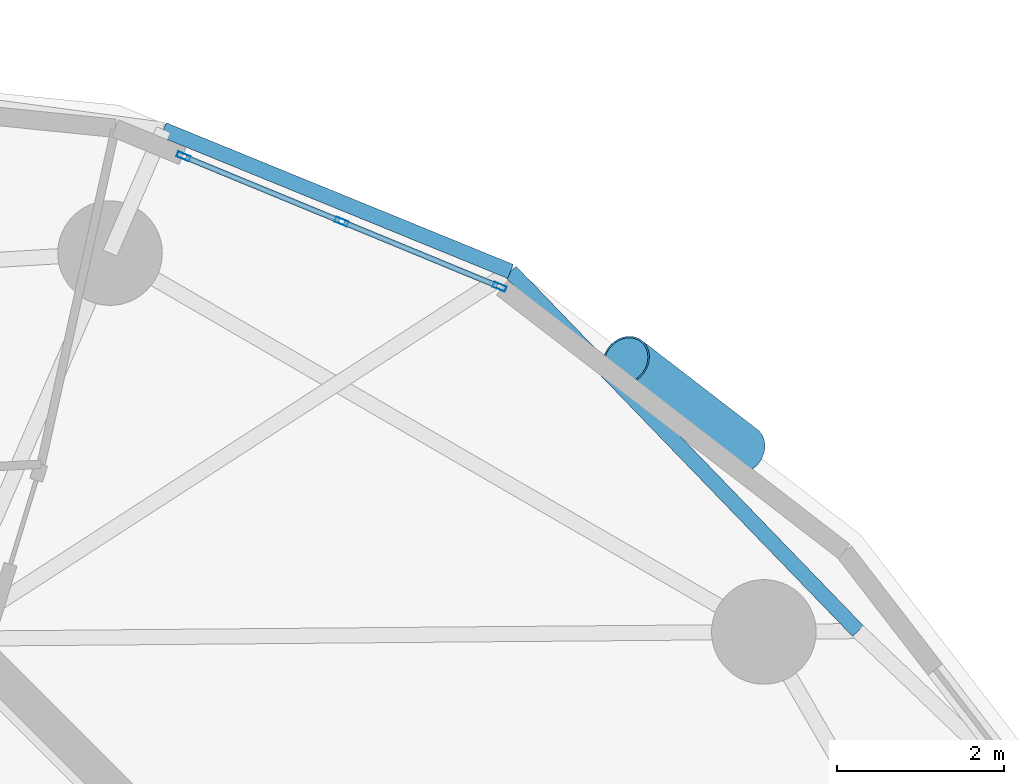
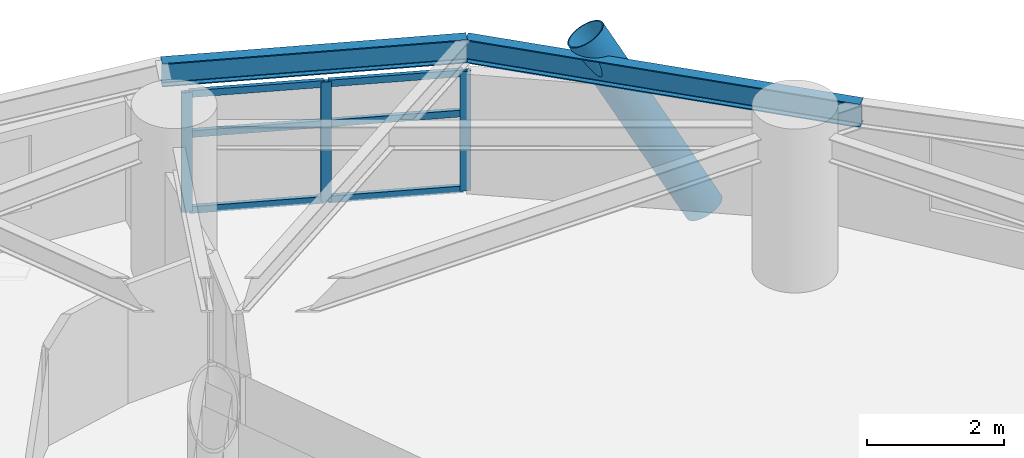
# One storey, part 5 of 15: 10 members, 2 beams, 1 element without a shape of its own.
"""IFC4 building model written with IfcOpenShell, lengths in metres."""

import ifcopenshell
import ifcopenshell.guid

model = None  # the IFC model being written
_history = None  # IfcOwnerHistory: only IFC2X3 demands one
_inside = {}  # id of a spatial element -> (the spatial element, [elements in it])
_under = {}  # id of a project, library or spatial element -> (it, [spatial elements below it])
_declared = {}  # id of a project -> (the project, [libraries it declares])
_typed = {}  # id of a type object -> (the type object, [elements of that type])
_made_of = {}  # id of a material, layer set ... -> (it, [elements and type objects made of it])


def new_model(schema):
    """Start an empty IFC model of exactly this schema.

    Asked for "IFC4X3", IfcOpenShell would pick the latest addendum, in which some entities
    have other attributes; the version numbers below select the first issue.
    IFC2X3 requires an IfcOwnerHistory on every rooted entity: one is made here for all.
    """
    global model, _history
    if schema == "IFC4X3":
        model = ifcopenshell.file(schema_version=(4, 3, 0, 0))
    else:
        model = ifcopenshell.file(schema=schema)
    _inside.clear()
    _under.clear()
    _declared.clear()
    _typed.clear()
    _made_of.clear()
    _history = None
    if model.schema == "IFC2X3":
        org = make("IfcOrganization", Name="unknown")
        user = make(
            "IfcPersonAndOrganization",
            ThePerson=make("IfcPerson", FamilyName="unknown"),
            TheOrganization=org,
        )
        app = make(
            "IfcApplication",
            ApplicationDeveloper=org,
            Version="unknown",
            ApplicationFullName="unknown",
            ApplicationIdentifier="unknown",
        )
        _history = make(
            "IfcOwnerHistory",
            OwningUser=user,
            OwningApplication=app,
            ChangeAction="ADDED",
            CreationDate=0,
        )
    return model


def make(cls, **values):
    """One entity of the class cls with the attributes given. An attribute that is None is left unset."""
    return model.create_entity(
        cls, **{name: value for name, value in values.items() if value is not None}
    )


def rooted(cls, **values):
    """An entity with a GlobalId (a new one), such as an element, a storey or a relation."""
    return make(cls, GlobalId=ifcopenshell.guid.new(), OwnerHistory=_history, **values)


def si_unit(unit_type, name, prefix=None):
    """IfcSIUnit, for example si_unit("LENGTHUNIT", "METRE", prefix="MILLI")."""
    return make("IfcSIUnit", UnitType=unit_type, Prefix=prefix, Name=name)


def assignment(units):
    """IfcUnitAssignment: the units of a project."""
    return None if units is None else make("IfcUnitAssignment", Units=units)


def point(xyz):
    """IfcCartesianPoint."""
    return None if xyz is None else make("IfcCartesianPoint", Coordinates=xyz)


def direction(xyz):
    """IfcDirection."""
    return None if xyz is None else make("IfcDirection", DirectionRatios=xyz)


def frame(location, z_axis=None, x_axis=None):
    """IfcAxis2Placement3D, a coordinate frame: its origin and axes. An axis left out is left unset."""
    return make(
        "IfcAxis2Placement3D",
        Location=point(location),
        Axis=direction(z_axis),
        RefDirection=direction(x_axis),
    )


def frame_2d(location, x_axis=None):
    """IfcAxis2Placement2D, a coordinate frame in the plane: its origin and x axis."""
    return make(
        "IfcAxis2Placement2D", Location=point(location), RefDirection=direction(x_axis)
    )


def origin():
    """The frame at (0, 0, 0) with its axes left unset."""
    return frame((0.0, 0.0, 0.0))


def origin_2d():
    """The frame at (0, 0) in the plane with its x axis left unset."""
    return frame_2d((0.0, 0.0))


def place(relative_to, where):
    """IfcLocalPlacement: puts the frame where relative to a parent placement (None: the world)."""
    return make(
        "IfcLocalPlacement", PlacementRelTo=relative_to, RelativePlacement=where
    )


def context(
    kind, dimensions, precision=None, world=None, true_north=None, identifier=None
):
    """IfcGeometricRepresentationContext, for example the 3D "Model" context."""
    return make(
        "IfcGeometricRepresentationContext",
        ContextIdentifier=identifier,
        ContextType=kind,
        CoordinateSpaceDimension=dimensions,
        Precision=precision,
        WorldCoordinateSystem=world,
        TrueNorth=true_north,
    )


def subcontext(parent, identifier, kind, view, scale=None):
    """IfcGeometricRepresentationSubContext, for example "Body" below "Model"."""
    return make(
        "IfcGeometricRepresentationSubContext",
        ContextIdentifier=identifier,
        ContextType=kind,
        ParentContext=parent,
        TargetScale=scale,
        TargetView=view,
    )


def project(units=None, contexts=None):
    """IfcProject with its units and contexts."""
    return rooted(
        "IfcProject",
        Name="project",
        RepresentationContexts=contexts,
        UnitsInContext=assignment(units),
    )


def spatial(cls, under=None, at=None, **own):
    """A site, building, storey or space (cls), placed at a placement, below another one or the project."""
    s = rooted(cls, ObjectPlacement=at, **own)
    if under is not None:
        _under.setdefault(under.id(), (under, []))[1].append(s)
    return s


def profile(cls, at=None, kind="AREA", **sizes):
    """A parametric profile (cls). Its sizes go by their IFC names, for example OverallWidth=200.0."""
    return make(cls, ProfileType=kind, Position=at, **sizes)


def hollow_rectangle(**sizes):
    """IfcRectangleHollowProfileDef."""
    return profile("IfcRectangleHollowProfileDef", **sizes)


def hollow_circle(**sizes):
    """IfcCircleHollowProfileDef."""
    return profile("IfcCircleHollowProfileDef", **sizes)


def i_section(**sizes):
    """IfcIShapeProfileDef."""
    return profile("IfcIShapeProfileDef", **sizes)


def extrude(swept, where, along, depth):
    """IfcExtrudedAreaSolid: the profile swept, set in the frame where, extruded along a direction by depth."""
    return make(
        "IfcExtrudedAreaSolid",
        SweptArea=swept,
        Position=where,
        ExtrudedDirection=direction(along),
        Depth=depth,
    )


def shape(context_of_items, identifier, shape_type, items):
    """IfcShapeRepresentation: the items that make up one representation, for example the "Body"."""
    return make(
        "IfcShapeRepresentation",
        ContextOfItems=context_of_items,
        RepresentationIdentifier=identifier,
        RepresentationType=shape_type,
        Items=items,
    )


def material(Name=None, Category=None):
    """IfcMaterial."""
    return make("IfcMaterial", Name=Name, Category=Category)


def layer(
    of_material, thickness, ventilated=None, Name=None, Category=None, Priority=None
):
    """IfcMaterialLayer: one layer of a wall or slab, of a material (None: an air gap)."""
    return make(
        "IfcMaterialLayer",
        Material=of_material,
        LayerThickness=thickness,
        IsVentilated=ventilated,
        Name=Name,
        Category=Category,
        Priority=Priority,
    )


def layer_set(layers, Name=None):
    """IfcMaterialLayerSet."""
    return make("IfcMaterialLayerSet", MaterialLayers=layers, LayerSetName=Name)


def material_profile(
    of_material, cross_section, Name=None, Category=None, Priority=None
):
    """IfcMaterialProfile: a cross section and its material."""
    return make(
        "IfcMaterialProfile",
        Name=Name,
        Material=of_material,
        Profile=cross_section,
        Priority=Priority,
        Category=Category,
    )


def profile_set(profiles, Name=None, composite=None):
    """IfcMaterialProfileSet."""
    return make(
        "IfcMaterialProfileSet",
        Name=Name,
        MaterialProfiles=profiles,
        CompositeProfile=composite,
    )


def made_of(thing, what):
    """Note that an element or type object is made of a material, layer set ...; save() writes the relation."""
    if what is not None:
        _made_of.setdefault(what.id(), (what, []))[1].append(thing)
    return thing


def type_object(cls, material=None, **own):
    """A type object (cls), such as IfcWallType, which elements share."""
    return made_of(rooted(cls, **own), material)


def element(
    cls,
    number,
    at=None,
    inside=None,
    cuts=None,
    type_object=None,
    material=None,
    context=None,
    identifier="Body",
    shape_type=None,
    held_by="IfcProductDefinitionShape",
    body=None,
    shapes=None,
    **own,
):
    """One element of the class cls, such as IfcWall. Its Tag is "e" and its number.

    at: its placement. inside: the storey or other place that contains it. cuts: it is an
    opening in that element (IfcRelVoidsElement). A single representation is given by context,
    identifier, shape_type and body (its items); several are given by shapes. held_by: the class
    of the entity that holds the representations. save() writes the other relations.
    """
    e = rooted(cls, Tag="e%d" % number, ObjectPlacement=at, **own)
    if body is not None:
        shapes = [shape(context, identifier, shape_type, body)]
    if shapes is not None:
        e.Representation = make(held_by, Representations=shapes)
    if inside is not None:
        _inside.setdefault(inside.id(), (inside, []))[1].append(e)
    if cuts is not None:
        rooted(
            "IfcRelVoidsElement", RelatingBuildingElement=cuts, RelatedOpeningElement=e
        )
    if type_object is not None:
        _typed.setdefault(type_object.id(), (type_object, []))[1].append(e)
    return made_of(e, material)


def aggregate(whole, parts):
    """IfcRelAggregates: a whole, such as a stair, and the parts it consists of."""
    return rooted("IfcRelAggregates", RelatingObject=whole, RelatedObjects=parts)


def save(model, path):
    """Write the relations noted so far, then the file.

    IfcRelAggregates (storeys below a building ...), IfcRelContainedInSpatialStructure (elements
    in a storey), IfcRelDefinesByType, IfcRelAssociatesMaterial and IfcRelDeclares: one each for
    every whole, place, type object, material and project.
    """
    for whole, parts in _under.values():
        aggregate(whole, parts)
    for where, things in _inside.values():
        rooted(
            "IfcRelContainedInSpatialStructure",
            RelatedElements=things,
            RelatingStructure=where,
        )
    for kind, things in _typed.values():
        rooted("IfcRelDefinesByType", RelatedObjects=things, RelatingType=kind)
    for what, things in _made_of.values():
        rooted("IfcRelAssociatesMaterial", RelatedObjects=things, RelatingMaterial=what)
    for by, libraries in _declared.values():
        rooted("IfcRelDeclares", RelatingContext=by, RelatedDefinitions=libraries)
    model.write(path)


model = new_model("IFC4")

# Units and contexts
model_context = context("Model", 3, precision=1e-05, world=origin(), true_north=direction((0.0, 1.0)))
body_context = subcontext(model_context, "Body", "Model", "MODEL_VIEW")
ifc_project = project(units=[si_unit("LENGTHUNIT", "METRE"), si_unit("AREAUNIT", "SQUARE_METRE"), si_unit("VOLUMEUNIT", "CUBIC_METRE"), si_unit("PLANEANGLEUNIT", "RADIAN"), si_unit("MASSUNIT", "GRAM", prefix="KILO")], contexts=[model_context])

# Site, building, storey
site_placement = place(None, origin())
site = spatial("IfcSite", under=ifc_project, at=site_placement, CompositionType="ELEMENT")
building_placement = place(site_placement, origin())
building = spatial("IfcBuilding", under=site, at=building_placement, Name="Cununo Teusaquillo Station Towers", CompositionType="ELEMENT")
storey_placement = place(building_placement, frame((0.0, 0.0, 189.429931640625)))
storey = spatial("IfcBuildingStorey", under=building, at=storey_placement, Name="L60", CompositionType="ELEMENT", Elevation=189.429931640625)

# Beams
ifc_material_1 = material(Name="Steel ASTM A572 Grade 50", Category="steel")
ifc_material_profile_1 = material_profile(ifc_material_1, i_section(OverallWidth=0.180908203125, OverallDepth=0.4169921875, WebThickness=0.010986328125, FlangeThickness=0.018310546875, FilletRadius=0.012939453125, at=origin_2d()), Name="W16X57")
ifc_profile_set_1 = profile_set([ifc_material_profile_1], Name="Steel ASTM A572 Grade 50")
beam_type = type_object("IfcBeamType", Name="BM-RING-Z3", PredefinedType="SPANDREL", material=ifc_profile_set_1)
beam_1_placement = place(storey_placement, frame((67.232666015625, 33.116455078125, 2.361572265625), z_axis=(-0.694791256552, 0.719211450005, 0.0), x_axis=(-0.719211450005, -0.694791256552, 0.0)))
element("IfcBeam", 1, at=beam_1_placement, inside=storey, type_object=beam_type, Name="L60 Tower B Spandrel Ring Beam 01", PredefinedType="SPANDREL", context=body_context, shape_type="SweptSolid", body=[
    extrude(i_section(OverallWidth=0.180908203125, OverallDepth=0.4169921875, WebThickness=0.010986328125, FlangeThickness=0.018310546875, FilletRadius=0.012939453125, at=origin_2d()), origin(), (0.0, 0.0, 1.0), 5.978515625),
])
beam_2_placement = place(storey_placement, frame((63.078857421875, 37.416259765625, 2.361572265625), z_axis=(-0.925823525235, 0.377956082264, 0.0), x_axis=(-0.377956082264, -0.925823525235, 0.0)))
element("IfcBeam", 2, at=beam_2_placement, inside=storey, type_object=beam_type, Name="L60 Tower B Spandrel Ring Beam 02", PredefinedType="SPANDREL", context=body_context, shape_type="SweptSolid", body=[
    extrude(i_section(OverallWidth=0.180908203125, OverallDepth=0.4169921875, WebThickness=0.010986328125, FlangeThickness=0.018310546875, FilletRadius=0.012939453125, at=origin_2d()), origin(), (0.0, 0.0, 1.0), 4.481689453125),
])

# Curtain wall, members
ifc_material_2 = material(Name="Operable acoustic tinted low-E double glazing", Category="glass")
ifc_layer = layer(ifc_material_2, 0.179931640625)
ifc_layer_set = layer_set([ifc_layer], Name="Operable acoustic tinted low-E double glazing")
curtain_wall_type = type_object("IfcCurtainWallType", Name="CW-SYS-06", PredefinedType="USERDEFINED", material=ifc_layer_set)
curtain_wall_placement = place(storey_placement, origin())
curtain_wall = element("IfcCurtainWall", 3, at=curtain_wall_placement, inside=storey, type_object=curtain_wall_type, Name="L60 Tower B Facade Curtain Wall C01", ObjectType="OPERABLE GLAZING", PredefinedType="USERDEFINED")
ifc_material_3 = material(Name="Anodised dark bronze aluminium EN AW-6063-T6", Category="aluminium")
ifc_material_profile_2 = material_profile(ifc_material_3, hollow_rectangle(XDim=0.06494140625, YDim=0.159912109375, WallThickness=0.00390625, at=origin_2d()), Name="CW-MULL-65x160")
ifc_profile_set_2 = profile_set([ifc_material_profile_2], Name="Anodised dark bronze aluminium EN AW-6063-T6")
member_type_1 = type_object("IfcMemberType", Name="CWM-160", PredefinedType="MULLION", material=ifc_profile_set_2)
member_1_placement = place(storey_placement, frame((59.16943359375, 38.791015625, 0.0), z_axis=(0.0, 0.0, 1.0), x_axis=(0.381229322376, 0.924480504803, 0.0)))
member_1 = element("IfcMember", 4, at=member_1_placement, type_object=member_type_1, Name="CW-06 mullion 1", PredefinedType="MULLION", context=body_context, shape_type="SweptSolid", body=[
    extrude(hollow_rectangle(XDim=0.06494140625, YDim=0.159912109375, WallThickness=0.00390625, at=origin_2d()), origin(), (0.0, 0.0, 1.0), 2.125),
])
member_2_placement = place(storey_placement, frame((61.05908203125, 38.011962890625, 0.0), z_axis=(0.0, 0.0, 1.0), x_axis=(0.381229322376, 0.924480504803, 0.0)))
member_2 = element("IfcMember", 5, at=member_2_placement, type_object=member_type_1, Name="CW-06 mullion 2", PredefinedType="MULLION", context=body_context, shape_type="SweptSolid", body=[
    extrude(hollow_rectangle(XDim=0.06494140625, YDim=0.159912109375, WallThickness=0.00390625, at=origin_2d()), origin(), (0.0, 0.0, 1.0), 2.125),
])
member_3_placement = place(storey_placement, frame((62.948974609375, 37.232666015625, 0.0), z_axis=(0.0, 0.0, 1.0), x_axis=(0.381229322376, 0.924480504803, 0.0)))
member_3 = element("IfcMember", 6, at=member_3_placement, type_object=member_type_1, Name="CW-06 mullion 3", PredefinedType="MULLION", context=body_context, shape_type="SweptSolid", body=[
    extrude(hollow_rectangle(XDim=0.06494140625, YDim=0.159912109375, WallThickness=0.00390625, at=origin_2d()), origin(), (0.0, 0.0, 1.0), 2.125),
])
ifc_material_4 = material(Name="Anodised dark bronze aluminium EN AW-6063-T6", Category="aluminium")
ifc_material_profile_3 = material_profile(ifc_material_4, hollow_rectangle(XDim=0.06494140625, YDim=0.1201171875, WallThickness=0.00390625, at=origin_2d()), Name="CW-TRAN-65x120")
ifc_profile_set_3 = profile_set([ifc_material_profile_3], Name="Anodised dark bronze aluminium EN AW-6063-T6")
member_type_2 = type_object("IfcMemberType", Name="CWT-120", PredefinedType="USERDEFINED", material=ifc_profile_set_3)
member_4_placement = place(storey_placement, frame((59.199462890625, 38.77880859375, 0.032470703125), z_axis=(0.924450559311, -0.381301932056, 0.0), x_axis=(0.381301932056, 0.924450559311, 0.0)))
member_4 = element("IfcMember", 7, at=member_4_placement, type_object=member_type_2, Name="CW-06 transom 1.1", ObjectType="TRANSOM", PredefinedType="USERDEFINED", context=body_context, shape_type="SweptSolid", body=[
    extrude(hollow_rectangle(XDim=0.06494140625, YDim=0.1201171875, WallThickness=0.00390625, at=origin_2d()), origin(), (0.0, 0.0, 1.0), 1.97900390625),
])
member_5_placement = place(storey_placement, frame((59.199462890625, 38.77880859375, 1.381103515625), z_axis=(0.924450559311, -0.381301932056, 0.0), x_axis=(0.381301932056, 0.924450559311, 0.0)))
member_5 = element("IfcMember", 8, at=member_5_placement, type_object=member_type_2, Name="CW-06 transom 1.2", ObjectType="TRANSOM", PredefinedType="USERDEFINED", context=body_context, shape_type="SweptSolid", body=[
    extrude(hollow_rectangle(XDim=0.06494140625, YDim=0.1201171875, WallThickness=0.00390625, at=origin_2d()), origin(), (0.0, 0.0, 1.0), 1.97900390625),
])
member_6_placement = place(storey_placement, frame((59.199462890625, 38.77880859375, 2.092529296875), z_axis=(0.924450559311, -0.381301932056, 0.0), x_axis=(0.381301932056, 0.924450559311, 0.0)))
member_6 = element("IfcMember", 9, at=member_6_placement, type_object=member_type_2, Name="CW-06 transom 1.3", ObjectType="TRANSOM", PredefinedType="USERDEFINED", context=body_context, shape_type="SweptSolid", body=[
    extrude(hollow_rectangle(XDim=0.06494140625, YDim=0.1201171875, WallThickness=0.00390625, at=origin_2d()), origin(), (0.0, 0.0, 1.0), 1.97900390625),
])
member_7_placement = place(storey_placement, frame((61.089111328125, 37.99951171875, 0.032470703125), z_axis=(0.924450559311, -0.381301932056, 0.0), x_axis=(0.381301932056, 0.924450559311, 0.0)))
member_7 = element("IfcMember", 10, at=member_7_placement, type_object=member_type_2, Name="CW-06 transom 2.1", ObjectType="TRANSOM", PredefinedType="USERDEFINED", context=body_context, shape_type="SweptSolid", body=[
    extrude(hollow_rectangle(XDim=0.06494140625, YDim=0.1201171875, WallThickness=0.00390625, at=origin_2d()), origin(), (0.0, 0.0, 1.0), 1.97900390625),
])
member_8_placement = place(storey_placement, frame((61.089111328125, 37.99951171875, 1.381103515625), z_axis=(0.924450559311, -0.381301932056, 0.0), x_axis=(0.381301932056, 0.924450559311, 0.0)))
member_8 = element("IfcMember", 11, at=member_8_placement, type_object=member_type_2, Name="CW-06 transom 2.2", ObjectType="TRANSOM", PredefinedType="USERDEFINED", context=body_context, shape_type="SweptSolid", body=[
    extrude(hollow_rectangle(XDim=0.06494140625, YDim=0.1201171875, WallThickness=0.00390625, at=origin_2d()), origin(), (0.0, 0.0, 1.0), 1.97900390625),
])
member_9_placement = place(storey_placement, frame((61.089111328125, 37.99951171875, 2.092529296875), z_axis=(0.924450559311, -0.381301932056, 0.0), x_axis=(0.381301932056, 0.924450559311, 0.0)))
member_9 = element("IfcMember", 12, at=member_9_placement, type_object=member_type_2, Name="CW-06 transom 2.3", ObjectType="TRANSOM", PredefinedType="USERDEFINED", context=body_context, shape_type="SweptSolid", body=[
    extrude(hollow_rectangle(XDim=0.06494140625, YDim=0.1201171875, WallThickness=0.00390625, at=origin_2d()), origin(), (0.0, 0.0, 1.0), 1.97900390625),
])
aggregate(curtain_wall, [member_1, member_2, member_3, member_4, member_5, member_6, member_7, member_8, member_9])

# Member
ifc_material_5 = material(Name="Steel EN 10025-2 S355J2", Category="steel")
ifc_material_profile_4 = material_profile(ifc_material_5, hollow_circle(Radius=0.304931640625, WallThickness=0.02001953125, at=origin_2d()), Name="CHS 610x20")
ifc_profile_set_4 = profile_set([ifc_material_profile_4], Name="Steel EN 10025-2 S355J2")
member_type_3 = type_object("IfcMemberType", Name="MBR-DIAG-Z3", PredefinedType="BRACE", material=ifc_profile_set_4)
member_10_placement = place(storey_placement, frame((65.841796875, 35.28759765625, -0.139892578125), z_axis=(-0.407241996749, 0.313761283942, 0.857734115436), x_axis=(-0.610319422527, -0.792155415614, 0.0)))
element("IfcMember", 13, at=member_10_placement, inside=storey, type_object=member_type_3, Name="L60 Tower B Folded-Zigzag Diagrid Tube C00", PredefinedType="BRACE", context=body_context, shape_type="SweptSolid", body=[
    extrude(hollow_circle(Radius=0.304931640625, WallThickness=0.02001953125, at=origin_2d()), origin(), (0.0, 0.0, 1.0), 3.392578125),
])

save(model, "model.ifc")
